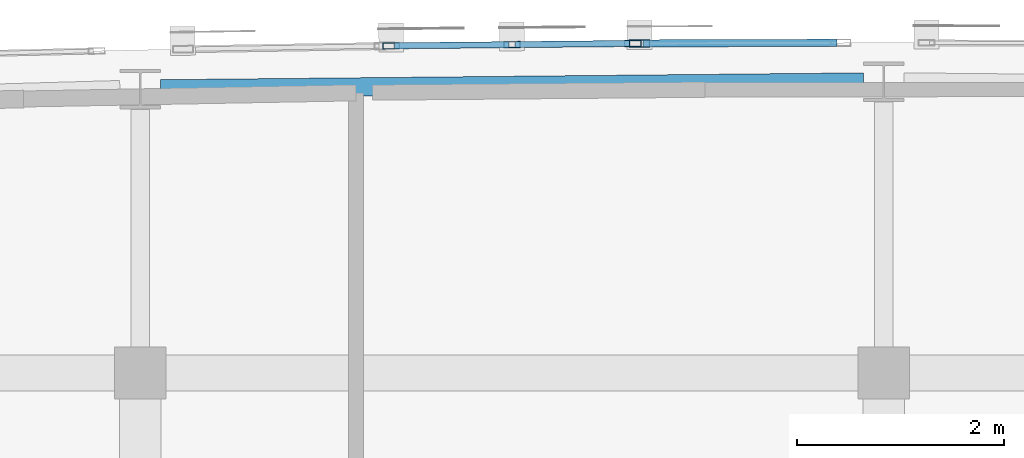
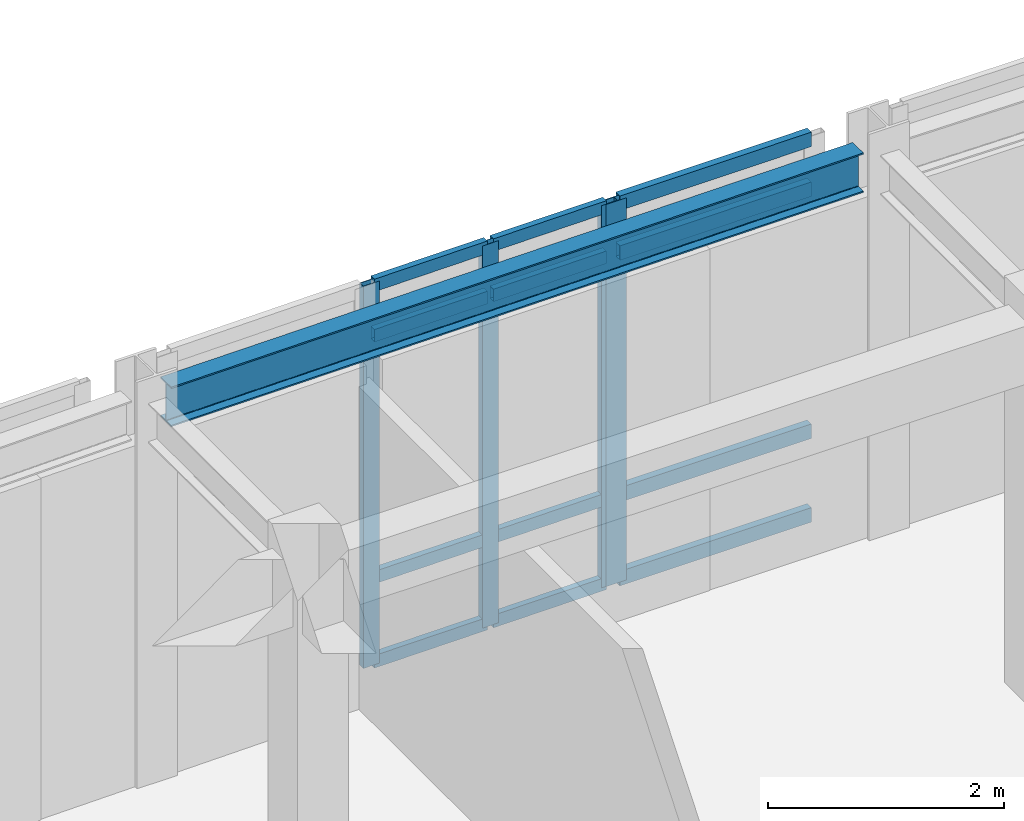
# One storey, part 12 of 24: 16 members, 1 beam, 2 elements without a shape of their own.
"""IFC4 building model written with IfcOpenShell, lengths in metres."""

from ifc_helpers import new_model, si_unit, direction, frame, origin, origin_2d, place, context, subcontext, project, spatial, hollow_rectangle, i_section, extrude, material, layer, layer_set, material_profile, profile_set, type_object, element, aggregate, save


model = new_model("IFC4")

# Units and contexts
model_context = context("Model", 3, precision=1e-05, world=origin(), true_north=direction((0.0, 1.0)))
body_context = subcontext(model_context, "Body", "Model", "MODEL_VIEW")
ifc_project = project(units=[si_unit("LENGTHUNIT", "METRE"), si_unit("AREAUNIT", "SQUARE_METRE"), si_unit("VOLUMEUNIT", "CUBIC_METRE"), si_unit("PLANEANGLEUNIT", "RADIAN"), si_unit("MASSUNIT", "GRAM", prefix="KILO")], contexts=[model_context])

# Site, building, storey
site_placement = place(None, origin())
site = spatial("IfcSite", under=ifc_project, at=site_placement, CompositionType="ELEMENT")
building_placement = place(site_placement, origin())
building = spatial("IfcBuilding", under=site, at=building_placement, Name="Carrowvane Square Congress Hotel", CompositionType="ELEMENT")
storey_placement = place(building_placement, frame((0.0, 0.0, 44.39990234375)))
storey = spatial("IfcBuildingStorey", under=building, at=storey_placement, Name="L11", CompositionType="ELEMENT", Elevation=44.39990234375)

# Beam
ifc_material_1 = material(Name="Steel S355", Category="steel")
ifc_material_profile_1 = material_profile(ifc_material_1, i_section(OverallWidth=0.1787109375, OverallDepth=0.409423828125, WebThickness=0.0087890625, FlangeThickness=0.014404296875, FilletRadius=0.01025390625, at=origin_2d()), Name="UKB 406x178x67")
ifc_profile_set_1 = profile_set([ifc_material_profile_1], Name="Steel S355")
beam_type = type_object("IfcBeamType", Name="BM-ST-UKB406", PredefinedType="BEAM", material=ifc_profile_set_1)
beam_placement = place(storey_placement, frame((90.997314453125, 116.151611328125, 3.745361328125), z_axis=(0.99995239219, 0.009757733037, 0.0), x_axis=(-0.009757733037, 0.99995239219, 0.0)))
element("IfcBeam", 1, at=beam_placement, inside=storey, type_object=beam_type, Name="RF curved north spandrel", PredefinedType="BEAM", context=body_context, shape_type="SweptSolid", body=[
    extrude(i_section(OverallWidth=0.1787109375, OverallDepth=0.409423828125, WebThickness=0.0087890625, FlangeThickness=0.014404296875, FilletRadius=0.01025390625, at=origin_2d()), origin(), (0.0, 0.0, 1.0), 6.805419921875),
])

# Curtain wall, members
ifc_material_2 = material(Name="Anodised aluminium", Category="aluminium")
ifc_layer_1 = layer(ifc_material_2, 0.2099609375)
ifc_layer_set_1 = layer_set([ifc_layer_1], Name="Anodised aluminium")
curtain_wall_type_1 = type_object("IfcCurtainWallType", Name="CW-SYS-5", PredefinedType="NOTDEFINED", material=ifc_layer_set_1)
curtain_wall_1_placement = place(storey_placement, origin())
curtain_wall_1 = element("IfcCurtainWall", 2, at=curtain_wall_1_placement, inside=storey, type_object=curtain_wall_type_1, Name="L11 unitised curtain wall 604", PredefinedType="NOTDEFINED")
ifc_material_3 = material(Name="Anodised aluminium", Category="aluminium")
ifc_material_profile_2 = material_profile(ifc_material_3, hollow_rectangle(XDim=0.06005859375, YDim=0.159912109375, WallThickness=0.00390625, at=origin_2d()), Name="CW-ML 60x160x4")
ifc_profile_set_2 = profile_set([ifc_material_profile_2], Name="Anodised aluminium")
member_type_1 = type_object("IfcMemberType", Name="CW-MUL-1", PredefinedType="MULLION", material=ifc_profile_set_2)
member_1_placement = place(storey_placement, frame((93.22998046875, 116.56884765625, 0.0), z_axis=(0.0, 0.0, 1.0), x_axis=(-0.009782905924, 0.999952146231, 0.0)))
member_1 = element("IfcMember", 3, at=member_1_placement, type_object=member_type_1, Name="CW-5 mullion 1", PredefinedType="MULLION", context=body_context, shape_type="SweptSolid", body=[
    extrude(hollow_rectangle(XDim=0.06005859375, YDim=0.159912109375, WallThickness=0.00390625, at=origin_2d()), origin(), (0.0, 0.0, 1.0), 3.9501953125),
])
member_2_placement = place(storey_placement, frame((94.39990234375, 116.580322265625, 0.0), z_axis=(0.0, 0.0, 1.0), x_axis=(-0.009782905924, 0.999952146231, 0.0)))
member_2 = element("IfcMember", 4, at=member_2_placement, type_object=member_type_1, Name="CW-5 mullion 2", PredefinedType="MULLION", context=body_context, shape_type="SweptSolid", body=[
    extrude(hollow_rectangle(XDim=0.06005859375, YDim=0.159912109375, WallThickness=0.00390625, at=origin_2d()), origin(), (0.0, 0.0, 1.0), 3.9501953125),
])
member_3_placement = place(storey_placement, frame((95.570068359375, 116.591796875, 0.0), z_axis=(0.0, 0.0, 1.0), x_axis=(-0.009782905924, 0.999952146231, 0.0)))
member_3 = element("IfcMember", 5, at=member_3_placement, type_object=member_type_1, Name="CW-5 mullion 3", PredefinedType="MULLION", context=body_context, shape_type="SweptSolid", body=[
    extrude(hollow_rectangle(XDim=0.06005859375, YDim=0.159912109375, WallThickness=0.00390625, at=origin_2d()), origin(), (0.0, 0.0, 1.0), 3.9501953125),
])

# Curtain wall, member
ifc_material_4 = material(Name="Anodised aluminium", Category="aluminium")
ifc_layer_2 = layer(ifc_material_4, 0.221923828125)
ifc_layer_set_2 = layer_set([ifc_layer_2], Name="Anodised aluminium")
curtain_wall_type_2 = type_object("IfcCurtainWallType", Name="CW-SYS-6", PredefinedType="NOTDEFINED", material=ifc_layer_set_2)
curtain_wall_2_placement = place(storey_placement, origin())
curtain_wall_2 = element("IfcCurtainWall", 6, at=curtain_wall_2_placement, inside=storey, type_object=curtain_wall_type_2, Name="L11 unitised curtain wall 605", PredefinedType="NOTDEFINED")
ifc_material_5 = material(Name="Anodised aluminium", Category="aluminium")
ifc_material_profile_3 = material_profile(ifc_material_5, hollow_rectangle(XDim=0.070068359375, YDim=0.199951171875, WallThickness=0.0048828125, at=origin_2d()), Name="CW-ML 70x200x5")
ifc_profile_set_3 = profile_set([ifc_material_profile_3], Name="Anodised aluminium")
member_type_2 = type_object("IfcMemberType", Name="CW-MUL-2", PredefinedType="MULLION", material=ifc_profile_set_3)
member_4_placement = place(storey_placement, frame((95.635009765625, 116.59228515625, 0.0), z_axis=(0.0, 0.0, 1.0), x_axis=(-0.003270307911, 0.999994652529, 0.0)))
member_4 = element("IfcMember", 7, at=member_4_placement, type_object=member_type_2, Name="CW-6 mullion 1", PredefinedType="MULLION", context=body_context, shape_type="SweptSolid", body=[
    extrude(hollow_rectangle(XDim=0.070068359375, YDim=0.199951171875, WallThickness=0.0048828125, at=origin_2d()), origin(), (0.0, 0.0, 1.0), 3.9501953125),
])

# Member
ifc_material_6 = material(Name="Anodised aluminium", Category="aluminium")
ifc_material_profile_4 = material_profile(ifc_material_6, hollow_rectangle(XDim=0.06005859375, YDim=0.1298828125, WallThickness=0.00390625, at=origin_2d()), Name="CW-TR 60x130x4")
ifc_profile_set_4 = profile_set([ifc_material_profile_4], Name="Anodised aluminium")
member_type_3 = type_object("IfcMemberType", Name="CW-TRN-1", PredefinedType="USERDEFINED", material=ifc_profile_set_4)
member_5_placement = place(storey_placement, frame((93.260009765625, 116.5693359375, 0.030029296875), z_axis=(0.99995318393, 0.009676256893, 0.0), x_axis=(-0.009676256893, 0.99995318393, 0.0)))
member_5 = element("IfcMember", 8, at=member_5_placement, type_object=member_type_3, Name="CW-5 transom 1.1", ObjectType="TRANSOM", PredefinedType="USERDEFINED", context=body_context, shape_type="SweptSolid", body=[
    extrude(hollow_rectangle(XDim=0.06005859375, YDim=0.1298828125, WallThickness=0.00390625, at=origin_2d()), origin(), (0.0, 0.0, 1.0), 1.110107421875),
])

member_6_placement = place(storey_placement, frame((93.260009765625, 116.5693359375, 0.900146484375), z_axis=(0.99995318393, 0.009676256893, 0.0), x_axis=(-0.009676256893, 0.99995318393, 0.0)))
member_6 = element("IfcMember", 9, at=member_6_placement, type_object=member_type_3, Name="CW-5 transom 1.2", ObjectType="TRANSOM", PredefinedType="USERDEFINED", context=body_context, shape_type="SweptSolid", body=[
    extrude(hollow_rectangle(XDim=0.06005859375, YDim=0.1298828125, WallThickness=0.00390625, at=origin_2d()), origin(), (0.0, 0.0, 1.0), 1.110107421875),
])

member_7_placement = place(storey_placement, frame((93.260009765625, 116.5693359375, 3.400146484375), z_axis=(0.99995318393, 0.009676256893, 0.0), x_axis=(-0.009676256893, 0.99995318393, 0.0)))
member_7 = element("IfcMember", 10, at=member_7_placement, type_object=member_type_3, Name="CW-5 transom 1.3", ObjectType="TRANSOM", PredefinedType="USERDEFINED", context=body_context, shape_type="SweptSolid", body=[
    extrude(hollow_rectangle(XDim=0.06005859375, YDim=0.1298828125, WallThickness=0.00390625, at=origin_2d()), origin(), (0.0, 0.0, 1.0), 1.110107421875),
])

member_8_placement = place(storey_placement, frame((93.260009765625, 116.5693359375, 3.920166015625), z_axis=(0.99995318393, 0.009676256893, 0.0), x_axis=(-0.009676256893, 0.99995318393, 0.0)))
member_8 = element("IfcMember", 11, at=member_8_placement, type_object=member_type_3, Name="CW-5 transom 1.4", ObjectType="TRANSOM", PredefinedType="USERDEFINED", context=body_context, shape_type="SweptSolid", body=[
    extrude(hollow_rectangle(XDim=0.06005859375, YDim=0.1298828125, WallThickness=0.00390625, at=origin_2d()), origin(), (0.0, 0.0, 1.0), 1.110107421875),
])

member_9_placement = place(storey_placement, frame((94.429931640625, 116.580810546875, 0.030029296875), z_axis=(0.99995318393, 0.009676256893, 0.0), x_axis=(-0.009676256893, 0.99995318393, 0.0)))
member_9 = element("IfcMember", 12, at=member_9_placement, type_object=member_type_3, Name="CW-5 transom 2.1", ObjectType="TRANSOM", PredefinedType="USERDEFINED", context=body_context, shape_type="SweptSolid", body=[
    extrude(hollow_rectangle(XDim=0.06005859375, YDim=0.1298828125, WallThickness=0.00390625, at=origin_2d()), origin(), (0.0, 0.0, 1.0), 1.110107421875),
])

member_10_placement = place(storey_placement, frame((94.429931640625, 116.580810546875, 0.900146484375), z_axis=(0.99995318393, 0.009676256893, 0.0), x_axis=(-0.009676256893, 0.99995318393, 0.0)))
member_10 = element("IfcMember", 13, at=member_10_placement, type_object=member_type_3, Name="CW-5 transom 2.2", ObjectType="TRANSOM", PredefinedType="USERDEFINED", context=body_context, shape_type="SweptSolid", body=[
    extrude(hollow_rectangle(XDim=0.06005859375, YDim=0.1298828125, WallThickness=0.00390625, at=origin_2d()), origin(), (0.0, 0.0, 1.0), 1.110107421875),
])

member_11_placement = place(storey_placement, frame((94.429931640625, 116.580810546875, 3.400146484375), z_axis=(0.99995318393, 0.009676256893, 0.0), x_axis=(-0.009676256893, 0.99995318393, 0.0)))
member_11 = element("IfcMember", 14, at=member_11_placement, type_object=member_type_3, Name="CW-5 transom 2.3", ObjectType="TRANSOM", PredefinedType="USERDEFINED", context=body_context, shape_type="SweptSolid", body=[
    extrude(hollow_rectangle(XDim=0.06005859375, YDim=0.1298828125, WallThickness=0.00390625, at=origin_2d()), origin(), (0.0, 0.0, 1.0), 1.110107421875),
])

member_12_placement = place(storey_placement, frame((94.429931640625, 116.580810546875, 3.920166015625), z_axis=(0.99995318393, 0.009676256893, 0.0), x_axis=(-0.009676256893, 0.99995318393, 0.0)))
member_12 = element("IfcMember", 15, at=member_12_placement, type_object=member_type_3, Name="CW-5 transom 2.4", ObjectType="TRANSOM", PredefinedType="USERDEFINED", context=body_context, shape_type="SweptSolid", body=[
    extrude(hollow_rectangle(XDim=0.06005859375, YDim=0.1298828125, WallThickness=0.00390625, at=origin_2d()), origin(), (0.0, 0.0, 1.0), 1.110107421875),
])

aggregate(curtain_wall_1, [member_1, member_2, member_3, member_5, member_6, member_7, member_8, member_9, member_10, member_11, member_12])

ifc_material_7 = material(Name="Anodised aluminium", Category="aluminium")
ifc_material_profile_5 = material_profile(ifc_material_7, hollow_rectangle(XDim=0.070068359375, YDim=0.14990234375, WallThickness=0.0048828125, at=origin_2d()), Name="CW-TR 70x150x5")
ifc_profile_set_5 = profile_set([ifc_material_profile_5], Name="Anodised aluminium")
member_type_4 = type_object("IfcMemberType", Name="CW-TRN-2", PredefinedType="USERDEFINED", material=ifc_profile_set_5)
member_13_placement = place(storey_placement, frame((95.669921875, 116.59228515625, 0.03515625), z_axis=(0.999994271018, 0.003384956522, 0.0), x_axis=(-0.003384956522, 0.999994271018, 0.0)))
member_13 = element("IfcMember", 16, at=member_13_placement, type_object=member_type_4, Name="CW-6 transom 1.1", ObjectType="TRANSOM", PredefinedType="USERDEFINED", context=body_context, shape_type="SweptSolid", body=[
    extrude(hollow_rectangle(XDim=0.070068359375, YDim=0.14990234375, WallThickness=0.0048828125, at=origin_2d()), origin(), (0.0, 0.0, 1.0), 1.875244140625),
])

member_14_placement = place(storey_placement, frame((95.669921875, 116.59228515625, 0.900146484375), z_axis=(0.999994271018, 0.003384956522, 0.0), x_axis=(-0.003384956522, 0.999994271018, 0.0)))
member_14 = element("IfcMember", 17, at=member_14_placement, type_object=member_type_4, Name="CW-6 transom 1.2", ObjectType="TRANSOM", PredefinedType="USERDEFINED", context=body_context, shape_type="SweptSolid", body=[
    extrude(hollow_rectangle(XDim=0.070068359375, YDim=0.14990234375, WallThickness=0.0048828125, at=origin_2d()), origin(), (0.0, 0.0, 1.0), 1.875244140625),
])

member_15_placement = place(storey_placement, frame((95.669921875, 116.59228515625, 3.400146484375), z_axis=(0.999994271018, 0.003384956522, 0.0), x_axis=(-0.003384956522, 0.999994271018, 0.0)))
member_15 = element("IfcMember", 18, at=member_15_placement, type_object=member_type_4, Name="CW-6 transom 1.3", ObjectType="TRANSOM", PredefinedType="USERDEFINED", context=body_context, shape_type="SweptSolid", body=[
    extrude(hollow_rectangle(XDim=0.070068359375, YDim=0.14990234375, WallThickness=0.0048828125, at=origin_2d()), origin(), (0.0, 0.0, 1.0), 1.875244140625),
])

member_16_placement = place(storey_placement, frame((95.669921875, 116.59228515625, 3.9150390625), z_axis=(0.999994271018, 0.003384956522, 0.0), x_axis=(-0.003384956522, 0.999994271018, 0.0)))
member_16 = element("IfcMember", 19, at=member_16_placement, type_object=member_type_4, Name="CW-6 transom 1.4", ObjectType="TRANSOM", PredefinedType="USERDEFINED", context=body_context, shape_type="SweptSolid", body=[
    extrude(hollow_rectangle(XDim=0.070068359375, YDim=0.14990234375, WallThickness=0.0048828125, at=origin_2d()), origin(), (0.0, 0.0, 1.0), 1.875244140625),
])

aggregate(curtain_wall_2, [member_4, member_13, member_14, member_15, member_16])

save(model, "model.ifc")
